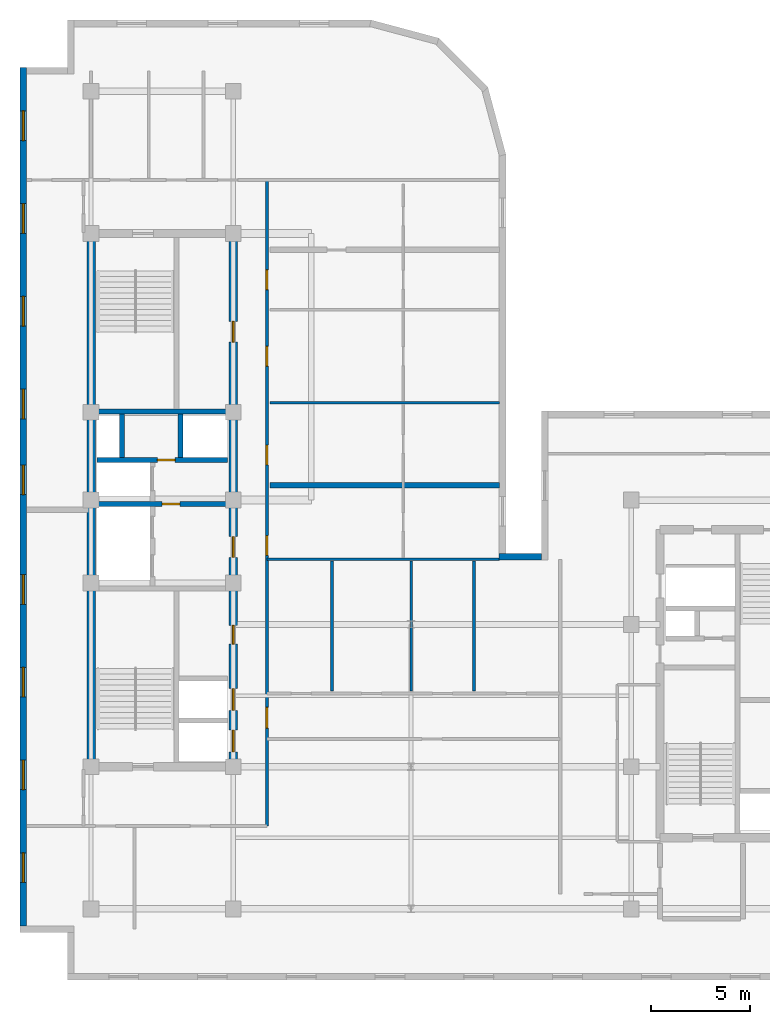
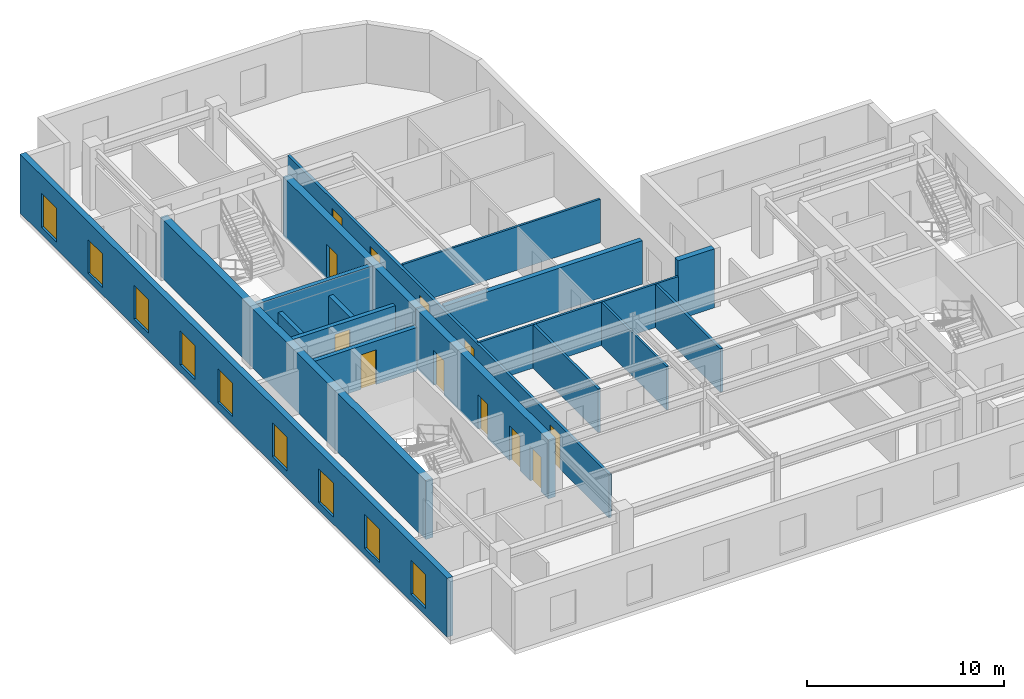
# One storey, part 4 of 10: 17 walls, 12 doors, 9 windows, 21 openings.
"""IFC4 building model written with IfcOpenShell, lengths in metres."""

from ifc_helpers import new_model, entity, si_unit, converted_unit, direction, frame, origin_with_axes, origin_2d_with_axis, place, context, subcontext, project, spatial, polyline, rectangle, outline, extrude, material, layer, layer_set, type_object, element, fill, save


model = new_model("IFC4")

# Units and contexts
model_context = context("Model", 3, precision=1e-05, world=origin_with_axes(), true_north=direction((0.0, 1.0)))
body_context = subcontext(model_context, "Body", "Model", "MODEL_VIEW")
ifc_project = project(units=[si_unit("LENGTHUNIT", "METRE"), si_unit("AREAUNIT", "SQUARE_METRE"), si_unit("VOLUMEUNIT", "CUBIC_METRE"), converted_unit("PLANEANGLEUNIT", "DEGREE", entity("IfcPlaneAngleMeasure", 0.017453292519943295), si_unit("PLANEANGLEUNIT", "RADIAN"), dimensions=[0, 0, 0, 0, 0, 0, 0]), si_unit("MASSUNIT", "GRAM", prefix="KILO"), si_unit("THERMODYNAMICTEMPERATUREUNIT", "KELVIN")], contexts=[model_context])

# Site, building, storey
site_placement = place(None, origin_with_axes())
site = spatial("IfcSite", under=ifc_project, at=site_placement, CompositionType="ELEMENT")
building_placement = place(site_placement, origin_with_axes())
building = spatial("IfcBuilding", under=site, at=building_placement, Name="Varnlund Millrace Tower", CompositionType="ELEMENT")
storey_placement = place(building_placement, frame((0.0, 0.0, 264.6), z_axis=(0.0, 0.0, 1.0), x_axis=(1.0, 0.0, 0.0)))
storey = spatial("IfcBuildingStorey", under=building, at=storey_placement, Name="L65", CompositionType="ELEMENT", Elevation=264.6)

# Wall
ifc_material_1 = material(Name="Concrete C60/75", Category="concrete")
ifc_layer_1 = layer(ifc_material_1, 0.42, Name="Concrete C60/75")
ifc_layer_set_1 = layer_set([ifc_layer_1], Name="Concrete C60/75")
wall_type_1 = type_object("IfcWallType", Name="Type-CoreWall-Shear-420-C60", PredefinedType="SHEAR", material=ifc_layer_set_1)
wall_1_placement = place(storey_placement, frame((11.4, 10.8, 0.0), z_axis=(0.0, 0.0, 1.0), x_axis=(0.0, 1.0, 0.0)))
element("IfcWall", 1, at=wall_1_placement, inside=storey, type_object=wall_type_1, Name="Type-CoreWall-Shear-420-C60", PredefinedType="SHEAR", context=body_context, shape_type="SweptSolid", body=[
    extrude(outline(polyline([(0.0, -0.21), (27.0, -0.21), (27.0, 0.21), (0.0, 0.21), (0.0, -0.21)])), origin_with_axes(), (0.0, 0.0, 1.0), 3.66),
])

# Wall, openings, doors
wall_2_placement = place(storey_placement, frame((18.6, 10.8, 0.0), z_axis=(0.0, 0.0, 1.0), x_axis=(0.0, 1.0, 0.0)))
wall_2 = element("IfcWall", 2, at=wall_2_placement, inside=storey, type_object=wall_type_1, Name="Type-CoreWall-Shear-420-C60", PredefinedType="SHEAR", context=body_context, shape_type="SweptSolid", body=[
    extrude(outline(polyline([(0.0, -0.21), (13.5, -0.21), (13.5, 0.21), (0.0, 0.21), (0.0, -0.21)])), origin_with_axes(), (0.0, 0.0, 1.0), 3.66),
])
opening_1_placement = place(wall_2_placement, frame((1.3, 0.0, 0.0), z_axis=(0.0, 0.0, 1.0), x_axis=(1.0, 0.0, 0.0)))
opening_1 = element("IfcOpeningElement", 3, at=opening_1_placement, cuts=wall_2, Name="Opening L65:LD-ELV-H1", PredefinedType="OPENING", context=body_context, shape_type="SweptSolid", body=[
    extrude(rectangle(XDim=1.1, YDim=0.44, at=origin_2d_with_axis()), origin_with_axes(), (0.0, 0.0, 1.0), 2.15),
])
opening_2_placement = place(wall_2_placement, frame((3.4, 0.0, 0.0), z_axis=(0.0, 0.0, 1.0), x_axis=(1.0, 0.0, 0.0)))
opening_2 = element("IfcOpeningElement", 4, at=opening_2_placement, cuts=wall_2, Name="Opening L65:LD-ELV-H2", PredefinedType="OPENING", context=body_context, shape_type="SweptSolid", body=[
    extrude(rectangle(XDim=1.1, YDim=0.44, at=origin_2d_with_axis()), origin_with_axes(), (0.0, 0.0, 1.0), 2.15),
])
opening_3_placement = place(wall_2_placement, frame((11.125, 0.0, 0.0), z_axis=(0.0, 0.0, 1.0), x_axis=(1.0, 0.0, 0.0)))
opening_3 = element("IfcOpeningElement", 5, at=opening_3_placement, cuts=wall_2, Name="Opening L65:DR-FFLOB-A", PredefinedType="OPENING", context=body_context, shape_type="SweptSolid", body=[
    extrude(rectangle(XDim=1.05, YDim=0.44, at=origin_2d_with_axis()), origin_with_axes(), (0.0, 0.0, 1.0), 2.15),
])
opening_4_placement = place(wall_2_placement, frame((6.675, 0.0, 0.0), z_axis=(0.0, 0.0, 1.0), x_axis=(1.0, 0.0, 0.0)))
opening_4 = element("IfcOpeningElement", 6, at=opening_4_placement, cuts=wall_2, Name="Opening L65:DR-RECL-S1AB", PredefinedType="OPENING", context=body_context, shape_type="SweptSolid", body=[
    extrude(rectangle(XDim=0.95, YDim=0.44, at=origin_2d_with_axis()), origin_with_axes(), (0.0, 0.0, 1.0), 2.15),
])
ifc_material_2 = material(Name="Smoke-barrier hollow steel fire door", Category="steel")
door_type_1 = type_object("IfcDoorType", Name="Type-FireDoor-Lobby-1050X2150", OperationType="NOTDEFINED", PredefinedType="DOOR", material=ifc_material_2)
door_1_placement = place(wall_2_placement, frame((11.125, 0.0, 0.0), z_axis=(0.0, 0.0, 1.0), x_axis=(1.0, 0.0, 0.0)))
door_1 = element("IfcDoor", 7, at=door_1_placement, inside=storey, type_object=door_type_1, Name="Type-FireDoor-Lobby-1050X2150", OperationType="SINGLE_SWING_LEFT", OverallHeight=2.15, OverallWidth=1.05, PredefinedType="DOOR", context=body_context, shape_type="SweptSolid", body=[
    extrude(rectangle(XDim=1.05, YDim=0.09, at=origin_2d_with_axis()), origin_with_axes(), (0.0, 0.0, 1.0), 2.15),
])
fill(opening_3, door_1)
ifc_material_3 = material(Name="Fire-rated hollow steel core service door", Category="steel")
door_type_2 = type_object("IfcDoorType", Name="Type-FireDoor-Service-950X2150", OperationType="NOTDEFINED", PredefinedType="DOOR", material=ifc_material_3)
door_2_placement = place(wall_2_placement, frame((6.675, 0.0, 0.0), z_axis=(0.0, 0.0, 1.0), x_axis=(1.0, 0.0, 0.0)))
door_2 = element("IfcDoor", 8, at=door_2_placement, inside=storey, type_object=door_type_2, Name="Type-FireDoor-Service-950X2150", OperationType="SINGLE_SWING_LEFT", OverallHeight=2.15, OverallWidth=0.95, PredefinedType="DOOR", context=body_context, shape_type="SweptSolid", body=[
    extrude(rectangle(XDim=0.95, YDim=0.09, at=origin_2d_with_axis()), origin_with_axes(), (0.0, 0.0, 1.0), 2.15),
])
fill(opening_4, door_2)
ifc_material_4 = material(Name="Stainless and architectural bronze sliding landing door")
door_type_3 = type_object("IfcDoorType", Name="Type-LiftLandingDoor-1100X2150", OperationType="NOTDEFINED", PredefinedType="DOOR", material=ifc_material_4)
door_3_placement = place(wall_2_placement, frame((1.3, 0.0, 0.0), z_axis=(0.0, 0.0, 1.0), x_axis=(1.0, 0.0, 0.0)))
door_3 = element("IfcDoor", 9, at=door_3_placement, inside=storey, type_object=door_type_3, Name="Type-LiftLandingDoor-1100X2150", OperationType="SLIDING_TO_LEFT", OverallHeight=2.15, OverallWidth=1.1, PredefinedType="DOOR", context=body_context, shape_type="SweptSolid", body=[
    extrude(rectangle(XDim=1.1, YDim=0.09, at=origin_2d_with_axis()), origin_with_axes(), (0.0, 0.0, 1.0), 2.15),
])
fill(opening_1, door_3)
door_4_placement = place(wall_2_placement, frame((3.4, 0.0, 0.0), z_axis=(0.0, 0.0, 1.0), x_axis=(1.0, 0.0, 0.0)))
door_4 = element("IfcDoor", 10, at=door_4_placement, inside=storey, type_object=door_type_3, Name="Type-LiftLandingDoor-1100X2150", OperationType="SLIDING_TO_RIGHT", OverallHeight=2.15, OverallWidth=1.1, PredefinedType="DOOR", context=body_context, shape_type="SweptSolid", body=[
    extrude(rectangle(XDim=1.1, YDim=0.09, at=origin_2d_with_axis()), origin_with_axes(), (0.0, 0.0, 1.0), 2.15),
])
fill(opening_2, door_4)

# Wall, opening, door
wall_3_placement = place(storey_placement, frame((18.6, 24.3, 0.0), z_axis=(0.0, 0.0, 1.0), x_axis=(0.0, 1.0, 0.0)))
wall_3 = element("IfcWall", 11, at=wall_3_placement, inside=storey, type_object=wall_type_1, Name="Type-CoreWall-Shear-420-C60", PredefinedType="SHEAR", context=body_context, shape_type="SweptSolid", body=[
    extrude(outline(polyline([(0.0, -0.21), (13.5, -0.21), (13.5, 0.21), (0.0, 0.21), (0.0, -0.21)])), origin_with_axes(), (0.0, 0.0, 1.0), 3.66),
])
opening_5_placement = place(wall_3_placement, frame((8.525, 0.0, 0.0), z_axis=(0.0, 0.0, 1.0), x_axis=(1.0, 0.0, 0.0)))
opening_5 = element("IfcOpeningElement", 12, at=opening_5_placement, cuts=wall_3, Name="Opening L65:DR-RECL-M", PredefinedType="OPENING", context=body_context, shape_type="SweptSolid", body=[
    extrude(rectangle(XDim=1.05, YDim=0.44, at=origin_2d_with_axis()), origin_with_axes(), (0.0, 0.0, 1.0), 2.15),
])
door_5_placement = place(wall_3_placement, frame((8.525, 0.0, 0.0), z_axis=(0.0, 0.0, 1.0), x_axis=(1.0, 0.0, 0.0)))
door_5 = element("IfcDoor", 13, at=door_5_placement, inside=storey, type_object=door_type_1, Name="Type-FireDoor-Lobby-1050X2150", OperationType="SINGLE_SWING_LEFT", OverallHeight=2.15, OverallWidth=1.05, PredefinedType="DOOR", context=body_context, shape_type="SweptSolid", body=[
    extrude(rectangle(XDim=1.05, YDim=0.09, at=origin_2d_with_axis()), origin_with_axes(), (0.0, 0.0, 1.0), 2.15),
])
fill(opening_5, door_5)

# Wall, openings, windows
ifc_material_5 = material(Name="Precast concrete C50/60", Category="concrete")
ifc_layer_2 = layer(ifc_material_5, 0.34, Name="Precast concrete C50/60")
ifc_layer_set_2 = layer_set([ifc_layer_2], Name="Precast concrete C50/60")
wall_type_2 = type_object("IfcWallType", Name="Type-ExtWall-Precast-Upper-340", PredefinedType="SOLIDWALL", material=ifc_layer_set_2)
wall_4_placement = place(storey_placement, frame((7.97, 2.74, 0.0), z_axis=(0.0, 0.0, 1.0), x_axis=(0.0, 1.0, 0.0)))
wall_4 = element("IfcWall", 14, at=wall_4_placement, inside=storey, type_object=wall_type_2, Name="Type-ExtWall-Precast-Upper-340", PredefinedType="SOLIDWALL", context=body_context, shape_type="SweptSolid", body=[
    extrude(outline(polyline([(0.0, -0.17), (43.46, -0.17), (43.46, 0.17), (0.0, 0.17), (0.0, -0.17)])), origin_with_axes(), (0.0, 0.0, 1.0), 3.66),
])
opening_6_placement = place(wall_4_placement, frame((2.948, 0.0, 0.45), z_axis=(0.0, 0.0, 1.0), x_axis=(1.0, 0.0, 0.0)))
opening_6 = element("IfcOpeningElement", 15, at=opening_6_placement, cuts=wall_4, Name="Opening L65:WN-17", PredefinedType="OPENING", context=body_context, shape_type="SweptSolid", body=[
    extrude(rectangle(XDim=1.5, YDim=0.36, at=origin_2d_with_axis()), origin_with_axes(), (0.0, 0.0, 1.0), 2.1),
])
opening_7_placement = place(wall_4_placement, frame((7.643, 0.0, 0.45), z_axis=(0.0, 0.0, 1.0), x_axis=(1.0, 0.0, 0.0)))
opening_7 = element("IfcOpeningElement", 16, at=opening_7_placement, cuts=wall_4, Name="Opening L65:WN-18", PredefinedType="OPENING", context=body_context, shape_type="SweptSolid", body=[
    extrude(rectangle(XDim=1.5, YDim=0.36, at=origin_2d_with_axis()), origin_with_axes(), (0.0, 0.0, 1.0), 2.1),
])
opening_8_placement = place(wall_4_placement, frame((12.339, 0.0, 0.45), z_axis=(0.0, 0.0, 1.0), x_axis=(1.0, 0.0, 0.0)))
opening_8 = element("IfcOpeningElement", 17, at=opening_8_placement, cuts=wall_4, Name="Opening L65:WN-19", PredefinedType="OPENING", context=body_context, shape_type="SweptSolid", body=[
    extrude(rectangle(XDim=1.5, YDim=0.36, at=origin_2d_with_axis()), origin_with_axes(), (0.0, 0.0, 1.0), 2.1),
])
opening_9_placement = place(wall_4_placement, frame((17.034, 0.0, 0.45), z_axis=(0.0, 0.0, 1.0), x_axis=(1.0, 0.0, 0.0)))
opening_9 = element("IfcOpeningElement", 18, at=opening_9_placement, cuts=wall_4, Name="Opening L65:WN-20", PredefinedType="OPENING", context=body_context, shape_type="SweptSolid", body=[
    extrude(rectangle(XDim=1.5, YDim=0.36, at=origin_2d_with_axis()), origin_with_axes(), (0.0, 0.0, 1.0), 2.1),
])
opening_10_placement = place(wall_4_placement, frame((22.58, 0.0, 0.45), z_axis=(0.0, 0.0, 1.0), x_axis=(1.0, 0.0, 0.0)))
opening_10 = element("IfcOpeningElement", 19, at=opening_10_placement, cuts=wall_4, Name="Opening L65:WN-21", PredefinedType="OPENING", context=body_context, shape_type="SweptSolid", body=[
    extrude(rectangle(XDim=1.5, YDim=0.36, at=origin_2d_with_axis()), origin_with_axes(), (0.0, 0.0, 1.0), 2.1),
])
opening_11_placement = place(wall_4_placement, frame((26.426, 0.0, 0.45), z_axis=(0.0, 0.0, 1.0), x_axis=(1.0, 0.0, 0.0)))
opening_11 = element("IfcOpeningElement", 20, at=opening_11_placement, cuts=wall_4, Name="Opening L65:WN-22", PredefinedType="OPENING", context=body_context, shape_type="SweptSolid", body=[
    extrude(rectangle(XDim=1.5, YDim=0.36, at=origin_2d_with_axis()), origin_with_axes(), (0.0, 0.0, 1.0), 2.1),
])
opening_12_placement = place(wall_4_placement, frame((31.121, 0.0, 0.45), z_axis=(0.0, 0.0, 1.0), x_axis=(1.0, 0.0, 0.0)))
opening_12 = element("IfcOpeningElement", 21, at=opening_12_placement, cuts=wall_4, Name="Opening L65:WN-23", PredefinedType="OPENING", context=body_context, shape_type="SweptSolid", body=[
    extrude(rectangle(XDim=1.5, YDim=0.36, at=origin_2d_with_axis()), origin_with_axes(), (0.0, 0.0, 1.0), 2.1),
])
opening_13_placement = place(wall_4_placement, frame((35.817, 0.0, 0.45), z_axis=(0.0, 0.0, 1.0), x_axis=(1.0, 0.0, 0.0)))
opening_13 = element("IfcOpeningElement", 22, at=opening_13_placement, cuts=wall_4, Name="Opening L65:WN-24", PredefinedType="OPENING", context=body_context, shape_type="SweptSolid", body=[
    extrude(rectangle(XDim=1.5, YDim=0.36, at=origin_2d_with_axis()), origin_with_axes(), (0.0, 0.0, 1.0), 2.1),
])
opening_14_placement = place(wall_4_placement, frame((40.512, 0.0, 0.45), z_axis=(0.0, 0.0, 1.0), x_axis=(1.0, 0.0, 0.0)))
opening_14 = element("IfcOpeningElement", 23, at=opening_14_placement, cuts=wall_4, Name="Opening L65:WN-25", PredefinedType="OPENING", context=body_context, shape_type="SweptSolid", body=[
    extrude(rectangle(XDim=1.5, YDim=0.36, at=origin_2d_with_axis()), origin_with_axes(), (0.0, 0.0, 1.0), 2.1),
])
ifc_material_6 = material(Name="Argon low-e triple glazing in thermally broken bronze frame", Category="glass")
window_type = type_object("IfcWindowType", Name="Type-Window-Punched-1500X2100", PartitioningType="SINGLE_PANEL", PredefinedType="WINDOW", material=ifc_material_6)
window_1_placement = place(wall_4_placement, frame((2.948, 0.0, 0.45), z_axis=(0.0, 0.0, 1.0), x_axis=(1.0, 0.0, 0.0)))
window_1 = element("IfcWindow", 24, at=window_1_placement, inside=storey, type_object=window_type, Name="Type-Window-Punched-1500X2100", OverallHeight=2.1, OverallWidth=1.5, PredefinedType="WINDOW", context=body_context, shape_type="SweptSolid", body=[
    extrude(rectangle(XDim=1.5, YDim=0.09, at=origin_2d_with_axis()), origin_with_axes(), (0.0, 0.0, 1.0), 2.1),
])
fill(opening_6, window_1)
window_2_placement = place(wall_4_placement, frame((7.643, 0.0, 0.45), z_axis=(0.0, 0.0, 1.0), x_axis=(1.0, 0.0, 0.0)))
window_2 = element("IfcWindow", 25, at=window_2_placement, inside=storey, type_object=window_type, Name="Type-Window-Punched-1500X2100", OverallHeight=2.1, OverallWidth=1.5, PredefinedType="WINDOW", context=body_context, shape_type="SweptSolid", body=[
    extrude(rectangle(XDim=1.5, YDim=0.09, at=origin_2d_with_axis()), origin_with_axes(), (0.0, 0.0, 1.0), 2.1),
])
fill(opening_7, window_2)
window_3_placement = place(wall_4_placement, frame((12.339, 0.0, 0.45), z_axis=(0.0, 0.0, 1.0), x_axis=(1.0, 0.0, 0.0)))
window_3 = element("IfcWindow", 26, at=window_3_placement, inside=storey, type_object=window_type, Name="Type-Window-Punched-1500X2100", OverallHeight=2.1, OverallWidth=1.5, PredefinedType="WINDOW", context=body_context, shape_type="SweptSolid", body=[
    extrude(rectangle(XDim=1.5, YDim=0.09, at=origin_2d_with_axis()), origin_with_axes(), (0.0, 0.0, 1.0), 2.1),
])
fill(opening_8, window_3)
window_4_placement = place(wall_4_placement, frame((17.034, 0.0, 0.45), z_axis=(0.0, 0.0, 1.0), x_axis=(1.0, 0.0, 0.0)))
window_4 = element("IfcWindow", 27, at=window_4_placement, inside=storey, type_object=window_type, Name="Type-Window-Punched-1500X2100", OverallHeight=2.1, OverallWidth=1.5, PredefinedType="WINDOW", context=body_context, shape_type="SweptSolid", body=[
    extrude(rectangle(XDim=1.5, YDim=0.09, at=origin_2d_with_axis()), origin_with_axes(), (0.0, 0.0, 1.0), 2.1),
])
fill(opening_9, window_4)
window_5_placement = place(wall_4_placement, frame((22.58, 0.0, 0.45), z_axis=(0.0, 0.0, 1.0), x_axis=(1.0, 0.0, 0.0)))
window_5 = element("IfcWindow", 28, at=window_5_placement, inside=storey, type_object=window_type, Name="Type-Window-Punched-1500X2100", OverallHeight=2.1, OverallWidth=1.5, PredefinedType="WINDOW", context=body_context, shape_type="SweptSolid", body=[
    extrude(rectangle(XDim=1.5, YDim=0.09, at=origin_2d_with_axis()), origin_with_axes(), (0.0, 0.0, 1.0), 2.1),
])
fill(opening_10, window_5)
window_6_placement = place(wall_4_placement, frame((26.426, 0.0, 0.45), z_axis=(0.0, 0.0, 1.0), x_axis=(1.0, 0.0, 0.0)))
window_6 = element("IfcWindow", 29, at=window_6_placement, inside=storey, type_object=window_type, Name="Type-Window-Punched-1500X2100", OverallHeight=2.1, OverallWidth=1.5, PredefinedType="WINDOW", context=body_context, shape_type="SweptSolid", body=[
    extrude(rectangle(XDim=1.5, YDim=0.09, at=origin_2d_with_axis()), origin_with_axes(), (0.0, 0.0, 1.0), 2.1),
])
fill(opening_11, window_6)
window_7_placement = place(wall_4_placement, frame((31.121, 0.0, 0.45), z_axis=(0.0, 0.0, 1.0), x_axis=(1.0, 0.0, 0.0)))
window_7 = element("IfcWindow", 30, at=window_7_placement, inside=storey, type_object=window_type, Name="Type-Window-Punched-1500X2100", OverallHeight=2.1, OverallWidth=1.5, PredefinedType="WINDOW", context=body_context, shape_type="SweptSolid", body=[
    extrude(rectangle(XDim=1.5, YDim=0.09, at=origin_2d_with_axis()), origin_with_axes(), (0.0, 0.0, 1.0), 2.1),
])
fill(opening_12, window_7)
window_8_placement = place(wall_4_placement, frame((35.817, 0.0, 0.45), z_axis=(0.0, 0.0, 1.0), x_axis=(1.0, 0.0, 0.0)))
window_8 = element("IfcWindow", 31, at=window_8_placement, inside=storey, type_object=window_type, Name="Type-Window-Punched-1500X2100", OverallHeight=2.1, OverallWidth=1.5, PredefinedType="WINDOW", context=body_context, shape_type="SweptSolid", body=[
    extrude(rectangle(XDim=1.5, YDim=0.09, at=origin_2d_with_axis()), origin_with_axes(), (0.0, 0.0, 1.0), 2.1),
])
fill(opening_13, window_8)
window_9_placement = place(wall_4_placement, frame((40.512, 0.0, 0.45), z_axis=(0.0, 0.0, 1.0), x_axis=(1.0, 0.0, 0.0)))
window_9 = element("IfcWindow", 32, at=window_9_placement, inside=storey, type_object=window_type, Name="Type-Window-Punched-1500X2100", OverallHeight=2.1, OverallWidth=1.5, PredefinedType="WINDOW", context=body_context, shape_type="SweptSolid", body=[
    extrude(rectangle(XDim=1.5, YDim=0.09, at=origin_2d_with_axis()), origin_with_axes(), (0.0, 0.0, 1.0), 2.1),
])
fill(opening_14, window_9)

# Walls
wall_5_placement = place(storey_placement, frame((32.06, 21.43, 0.0), z_axis=(0.0, 0.0, 1.0), x_axis=(1.0, 0.0, 0.0)))
element("IfcWall", 33, at=wall_5_placement, inside=storey, type_object=wall_type_2, Name="Type-ExtWall-Precast-Upper-340", PredefinedType="SOLIDWALL", context=body_context, shape_type="SweptSolid", body=[
    extrude(outline(polyline([(0.0, -0.17), (2.14, -0.17), (2.14, 0.17), (0.0, 0.17), (0.0, -0.17)])), origin_with_axes(), (0.0, 0.0, 1.0), 3.66),
])
ifc_material_7 = material(Name="Double-stud STC-60 conference acoustic partition", Category="gypsum")
ifc_layer_3 = layer(ifc_material_7, 0.28, Name="Double-stud STC-60 conference acoustic partition")
ifc_layer_set_3 = layer_set([ifc_layer_3], Name="Double-stud STC-60 conference acoustic partition")
wall_type_3 = type_object("IfcWallType", Name="Type-Partition-Acoustic-280", PredefinedType="PARTITIONING", material=ifc_layer_set_3)
wall_6_placement = place(storey_placement, frame((20.45, 25.05, 0.0), z_axis=(0.0, 0.0, 1.0), x_axis=(1.0, 0.0, 0.0)))
element("IfcWall", 34, at=wall_6_placement, inside=storey, type_object=wall_type_3, Name="Type-Partition-Acoustic-280", PredefinedType="PARTITIONING", context=body_context, shape_type="SweptSolid", body=[
    extrude(outline(polyline([(0.0, -0.14), (11.615, -0.14), (11.615, 0.14), (0.0, 0.14), (0.0, -0.14)])), origin_with_axes(), (0.0, 0.0, 1.0), 2.7),
])

# Wall, openings, doors
ifc_material_8 = material(Name="Fire-rated gypsum board on cold-formed steel framing", Category="steel")
ifc_layer_4 = layer(ifc_material_8, 0.16, Name="Fire-rated gypsum board on cold-formed steel framing")
ifc_layer_set_4 = layer_set([ifc_layer_4], Name="Fire-rated gypsum board on cold-formed steel framing")
wall_type_4 = type_object("IfcWallType", Name="Type-Partition-Corridor-160", PredefinedType="PARTITIONING", material=ifc_layer_set_4)
wall_7_placement = place(storey_placement, frame((20.3, 7.8, 0.0), z_axis=(0.0, 0.0, 1.0), x_axis=(0.0, 1.0, 0.0)))
wall_7 = element("IfcWall", 35, at=wall_7_placement, inside=storey, type_object=wall_type_4, Name="Type-Partition-Corridor-160", PredefinedType="PARTITIONING", context=body_context, shape_type="SweptSolid", body=[
    extrude(outline(polyline([(0.0, -0.08), (32.7, -0.08), (32.7, 0.08), (0.0, 0.08), (0.0, -0.08)])), origin_with_axes(), (0.0, 0.0, 1.0), 2.7),
])
opening_15_placement = place(wall_7_placement, frame((14.2, 0.0, 0.0), z_axis=(0.0, 0.0, 1.0), x_axis=(1.0, 0.0, 0.0)))
opening_15 = element("IfcOpeningElement", 36, at=opening_15_placement, cuts=wall_7, Name="Opening L65:DR-FLR-01", PredefinedType="OPENING", context=body_context, shape_type="SweptSolid", body=[
    extrude(rectangle(XDim=1.0, YDim=0.18, at=origin_2d_with_axis()), origin_with_axes(), (0.0, 0.0, 1.0), 2.15),
])
opening_16_placement = place(wall_7_placement, frame((18.779, 0.0, 0.0), z_axis=(0.0, 0.0, 1.0), x_axis=(1.0, 0.0, 0.0)))
opening_16 = element("IfcOpeningElement", 37, at=opening_16_placement, cuts=wall_7, Name="Opening L65:DR-FLR-02", PredefinedType="OPENING", context=body_context, shape_type="SweptSolid", body=[
    extrude(rectangle(XDim=1.0, YDim=0.18, at=origin_2d_with_axis()), origin_with_axes(), (0.0, 0.0, 1.0), 2.15),
])
opening_17_placement = place(wall_7_placement, frame((23.7835, 0.0, 0.0), z_axis=(0.0, 0.0, 1.0), x_axis=(1.0, 0.0, 0.0)))
opening_17 = element("IfcOpeningElement", 38, at=opening_17_placement, cuts=wall_7, Name="Opening L65:DR-FLR-03", PredefinedType="OPENING", context=body_context, shape_type="SweptSolid", body=[
    extrude(rectangle(XDim=1.0, YDim=0.18, at=origin_2d_with_axis()), origin_with_axes(), (0.0, 0.0, 1.0), 2.15),
])
opening_18_placement = place(wall_7_placement, frame((27.6515, 0.0, 0.0), z_axis=(0.0, 0.0, 1.0), x_axis=(1.0, 0.0, 0.0)))
opening_18 = element("IfcOpeningElement", 39, at=opening_18_placement, cuts=wall_7, Name="Opening L65:DR-FLR-04", PredefinedType="OPENING", context=body_context, shape_type="SweptSolid", body=[
    extrude(rectangle(XDim=1.0, YDim=0.18, at=origin_2d_with_axis()), origin_with_axes(), (0.0, 0.0, 1.0), 2.15),
])
opening_19_placement = place(wall_7_placement, frame((5.475, 0.0, 0.0), z_axis=(0.0, 0.0, 1.0), x_axis=(1.0, 0.0, 0.0)))
opening_19 = element("IfcOpeningElement", 40, at=opening_19_placement, cuts=wall_7, Name="Opening L65:DR-KN-W", PredefinedType="OPENING", context=body_context, shape_type="SweptSolid", body=[
    extrude(rectangle(XDim=1.05, YDim=0.18, at=origin_2d_with_axis()), origin_with_axes(), (0.0, 0.0, 1.0), 2.15),
])
door_6_placement = place(wall_7_placement, frame((5.475, 0.0, 0.0), z_axis=(0.0, 0.0, 1.0), x_axis=(1.0, 0.0, 0.0)))
door_6 = element("IfcDoor", 41, at=door_6_placement, inside=storey, type_object=door_type_1, Name="Type-FireDoor-Lobby-1050X2150", OperationType="SINGLE_SWING_LEFT", OverallHeight=2.15, OverallWidth=1.05, PredefinedType="DOOR", context=body_context, shape_type="SweptSolid", body=[
    extrude(rectangle(XDim=1.05, YDim=0.09, at=origin_2d_with_axis()), origin_with_axes(), (0.0, 0.0, 1.0), 2.15),
])
fill(opening_19, door_6)
ifc_material_9 = material(Name="Solid-core white oak and bronze frame door")
door_type_4 = type_object("IfcDoorType", Name="Type-IntDoor-Office-1000X2150", OperationType="NOTDEFINED", PredefinedType="DOOR", material=ifc_material_9)
door_7_placement = place(wall_7_placement, frame((14.2, 0.0, 0.0), z_axis=(0.0, 0.0, 1.0), x_axis=(1.0, 0.0, 0.0)))
door_7 = element("IfcDoor", 42, at=door_7_placement, inside=storey, type_object=door_type_4, Name="Type-IntDoor-Office-1000X2150", OperationType="SINGLE_SWING_LEFT", OverallHeight=2.15, OverallWidth=1.0, PredefinedType="DOOR", context=body_context, shape_type="SweptSolid", body=[
    extrude(rectangle(XDim=1.0, YDim=0.09, at=origin_2d_with_axis()), origin_with_axes(), (0.0, 0.0, 1.0), 2.15),
])
fill(opening_15, door_7)
door_8_placement = place(wall_7_placement, frame((18.779, 0.0, 0.0), z_axis=(0.0, 0.0, 1.0), x_axis=(1.0, 0.0, 0.0)))
door_8 = element("IfcDoor", 43, at=door_8_placement, inside=storey, type_object=door_type_4, Name="Type-IntDoor-Office-1000X2150", OperationType="SINGLE_SWING_RIGHT", OverallHeight=2.15, OverallWidth=1.0, PredefinedType="DOOR", context=body_context, shape_type="SweptSolid", body=[
    extrude(rectangle(XDim=1.0, YDim=0.09, at=origin_2d_with_axis()), origin_with_axes(), (0.0, 0.0, 1.0), 2.15),
])
fill(opening_16, door_8)
door_9_placement = place(wall_7_placement, frame((23.7835, 0.0, 0.0), z_axis=(0.0, 0.0, 1.0), x_axis=(1.0, 0.0, 0.0)))
door_9 = element("IfcDoor", 44, at=door_9_placement, inside=storey, type_object=door_type_4, Name="Type-IntDoor-Office-1000X2150", OperationType="SINGLE_SWING_LEFT", OverallHeight=2.15, OverallWidth=1.0, PredefinedType="DOOR", context=body_context, shape_type="SweptSolid", body=[
    extrude(rectangle(XDim=1.0, YDim=0.09, at=origin_2d_with_axis()), origin_with_axes(), (0.0, 0.0, 1.0), 2.15),
])
fill(opening_17, door_9)
door_10_placement = place(wall_7_placement, frame((27.6515, 0.0, 0.0), z_axis=(0.0, 0.0, 1.0), x_axis=(1.0, 0.0, 0.0)))
door_10 = element("IfcDoor", 45, at=door_10_placement, inside=storey, type_object=door_type_4, Name="Type-IntDoor-Office-1000X2150", OperationType="SINGLE_SWING_RIGHT", OverallHeight=2.15, OverallWidth=1.0, PredefinedType="DOOR", context=body_context, shape_type="SweptSolid", body=[
    extrude(rectangle(XDim=1.0, YDim=0.09, at=origin_2d_with_axis()), origin_with_axes(), (0.0, 0.0, 1.0), 2.15),
])
fill(opening_18, door_10)

# Walls
ifc_material_10 = material(Name="Acoustic STC-50 gypsum board partition", Category="gypsum")
ifc_layer_5 = layer(ifc_material_10, 0.15, Name="Acoustic STC-50 gypsum board partition")
ifc_layer_set_5 = layer_set([ifc_layer_5], Name="Acoustic STC-50 gypsum board partition")
wall_type_5 = type_object("IfcWallType", Name="Type-Partition-Demising-150", PredefinedType="PARTITIONING", material=ifc_layer_set_5)
for number, where, z_axis, x_axis, name in (
    (46, (23.598, 14.62, 0.0), (0.0, 0.0, 1.0), (0.0, 1.0, 0.0), "Type-Partition-Demising-150"),
    (47, (30.778, 14.62, 0.0), (0.0, 0.0, 1.0), (0.0, 1.0, 0.0), "Type-Partition-Demising-150"),
):
    element("IfcWall", number, at=place(storey_placement, frame(where, z_axis=z_axis, x_axis=x_axis)), inside=storey, type_object=wall_type_5, Name=name, PredefinedType="PARTITIONING", context=body_context, shape_type="SweptSolid", body=[
        extrude(outline(polyline([(0.0, -0.075), (6.6, -0.075), (6.6, 0.075), (0.0, 0.075), (0.0, -0.075)])), origin_with_axes(), (0.0, 0.0, 1.0), 2.7),
    ])
ifc_material_11 = material(Name="Gypsum board tenant partition", Category="gypsum")
ifc_layer_6 = layer(ifc_material_11, 0.125, Name="Gypsum board tenant partition")
ifc_layer_set_6 = layer_set([ifc_layer_6], Name="Gypsum board tenant partition")
wall_type_6 = type_object("IfcWallType", Name="Type-Partition-Tenant-125", PredefinedType="PARTITIONING", material=ifc_layer_set_6)
wall_8_placement = place(storey_placement, frame((20.45, 29.228, 0.0), z_axis=(0.0, 0.0, 1.0), x_axis=(1.0, 0.0, 0.0)))
element("IfcWall", 48, at=wall_8_placement, inside=storey, type_object=wall_type_6, Name="Type-Partition-Tenant-125", PredefinedType="PARTITIONING", context=body_context, shape_type="SweptSolid", body=[
    extrude(outline(polyline([(0.0, -0.0625), (11.615, -0.0625), (11.615, 0.0625), (0.0, 0.0625), (0.0, -0.0625)])), origin_with_axes(), (0.0, 0.0, 1.0), 2.7),
])
wall_9_placement = place(storey_placement, frame((27.6, 14.62, 0.0), z_axis=(0.0, 0.0, 1.0), x_axis=(0.0, 1.0, 0.0)))
element("IfcWall", 49, at=wall_9_placement, inside=storey, type_object=wall_type_6, Name="Type-Partition-Tenant-125", PredefinedType="PARTITIONING", context=body_context, shape_type="SweptSolid", body=[
    extrude(outline(polyline([(0.0, -0.0625), (6.6, -0.0625), (6.6, 0.0625), (0.0, 0.0625), (0.0, -0.0625)])), origin_with_axes(), (0.0, 0.0, 1.0), 2.7),
])
wall_10_placement = place(storey_placement, frame((20.3, 21.3, 0.0), z_axis=(0.0, 0.0, 1.0), x_axis=(1.0, 0.0, 0.0)))
element("IfcWall", 50, at=wall_10_placement, inside=storey, type_object=wall_type_6, Name="Type-Partition-Tenant-125", PredefinedType="PARTITIONING", context=body_context, shape_type="SweptSolid", body=[
    extrude(outline(polyline([(0.0, -0.0625), (11.765, -0.0625), (11.765, 0.0625), (0.0, 0.0625), (0.0, -0.0625)])), origin_with_axes(), (0.0, 0.0, 1.0), 2.7),
])

# Wall, opening, door
ifc_layer_7 = layer(ifc_material_1, 0.25, Name="Concrete C60/75")
ifc_layer_set_7 = layer_set([ifc_layer_7], Name="Concrete C60/75")
wall_type_7 = type_object("IfcWallType", Name="Type-ShaftWall-Fire-250", PredefinedType="SOLIDWALL", material=ifc_layer_set_7)
wall_11_placement = place(storey_placement, frame((11.7, 24.1, 0.0), z_axis=(0.0, 0.0, 1.0), x_axis=(1.0, 0.0, 0.0)))
wall_11 = element("IfcWall", 51, at=wall_11_placement, inside=storey, type_object=wall_type_7, Name="Type-ShaftWall-Fire-250", PredefinedType="SOLIDWALL", context=body_context, shape_type="SweptSolid", body=[
    extrude(outline(polyline([(0.0, -0.125), (6.6, -0.125), (6.6, 0.125), (0.0, 0.125), (0.0, -0.125)])), origin_with_axes(), (0.0, 0.0, 1.0), 2.7),
])
opening_20_placement = place(wall_11_placement, frame((3.75, 0.0, 0.0), z_axis=(0.0, 0.0, 1.0), x_axis=(1.0, 0.0, 0.0)))
opening_20 = element("IfcOpeningElement", 52, at=opening_20_placement, cuts=wall_11, Name="Opening L65:DR-CA-SRV1", PredefinedType="OPENING", context=body_context, shape_type="SweptSolid", body=[
    extrude(rectangle(XDim=0.9, YDim=0.27, at=origin_2d_with_axis()), origin_with_axes(), (0.0, 0.0, 1.0), 2.15),
])
ifc_material_12 = material(Name="Fire-rated hollow steel service closet door", Category="steel")
door_type_5 = type_object("IfcDoorType", Name="Type-FireDoor-Closet-900X2150", OperationType="NOTDEFINED", PredefinedType="DOOR", material=ifc_material_12)
door_11_placement = place(wall_11_placement, frame((3.75, 0.0, 0.0), z_axis=(0.0, 0.0, 1.0), x_axis=(1.0, 0.0, 0.0)))
door_11 = element("IfcDoor", 53, at=door_11_placement, inside=storey, type_object=door_type_5, Name="Type-FireDoor-Closet-900X2150", OperationType="SINGLE_SWING_LEFT", OverallHeight=2.15, OverallWidth=0.9, PredefinedType="DOOR", context=body_context, shape_type="SweptSolid", body=[
    extrude(rectangle(XDim=0.9, YDim=0.09, at=origin_2d_with_axis()), origin_with_axes(), (0.0, 0.0, 1.0), 2.15),
])
fill(opening_20, door_11)

wall_12_placement = place(storey_placement, frame((11.7, 26.325, 0.0), z_axis=(0.0, 0.0, 1.0), x_axis=(1.0, 0.0, 0.0)))
wall_12 = element("IfcWall", 54, at=wall_12_placement, inside=storey, type_object=wall_type_7, Name="Type-ShaftWall-Fire-250", PredefinedType="SOLIDWALL", context=body_context, shape_type="SweptSolid", body=[
    extrude(outline(polyline([(0.0, -0.125), (6.6, -0.125), (6.6, 0.125), (0.0, 0.125), (0.0, -0.125)])), origin_with_axes(), (0.0, 0.0, 1.0), 2.7),
])
opening_21_placement = place(wall_12_placement, frame((3.5, 0.0, 0.0), z_axis=(0.0, 0.0, 1.0), x_axis=(1.0, 0.0, 0.0)))
opening_21 = element("IfcOpeningElement", 55, at=opening_21_placement, cuts=wall_12, Name="Opening L65:DR-CA-ELC", PredefinedType="OPENING", context=body_context, shape_type="SweptSolid", body=[
    extrude(rectangle(XDim=0.9, YDim=0.27, at=origin_2d_with_axis()), origin_with_axes(), (0.0, 0.0, 1.0), 2.15),
])
door_12_placement = place(wall_12_placement, frame((3.5, 0.0, 0.0), z_axis=(0.0, 0.0, 1.0), x_axis=(1.0, 0.0, 0.0)))
door_12 = element("IfcDoor", 56, at=door_12_placement, inside=storey, type_object=door_type_5, Name="Type-FireDoor-Closet-900X2150", OperationType="SINGLE_SWING_LEFT", OverallHeight=2.15, OverallWidth=0.9, PredefinedType="DOOR", context=body_context, shape_type="SweptSolid", body=[
    extrude(rectangle(XDim=0.9, YDim=0.09, at=origin_2d_with_axis()), origin_with_axes(), (0.0, 0.0, 1.0), 2.15),
])
fill(opening_21, door_12)

# Walls
for number, where, z_axis, x_axis, name in (
    (57, (12.96, 26.45, 0.0), (0.0, 0.0, 1.0), (0.0, 1.0, 0.0), "Type-ShaftWall-Fire-250"),
    (58, (15.925, 26.45, 0.0), (0.0, 0.0, 1.0), (0.0, 1.0, 0.0), "Type-ShaftWall-Fire-250"),
):
    element("IfcWall", number, at=place(storey_placement, frame(where, z_axis=z_axis, x_axis=x_axis)), inside=storey, type_object=wall_type_7, Name=name, PredefinedType="SOLIDWALL", context=body_context, shape_type="SweptSolid", body=[
        extrude(outline(polyline([(0.0, -0.125), (2.2, -0.125), (2.2, 0.125), (0.0, 0.125), (0.0, -0.125)])), origin_with_axes(), (0.0, 0.0, 1.0), 2.7),
    ])
wall_type_8 = type_object("IfcWallType", Name="Type-StairWall-Shear-250", PredefinedType="SHEAR", material=ifc_layer_set_7)
wall_13_placement = place(storey_placement, frame((11.61, 28.775, 0.0), z_axis=(0.0, 0.0, 1.0), x_axis=(1.0, 0.0, 0.0)))
element("IfcWall", 59, at=wall_13_placement, inside=storey, type_object=wall_type_8, Name="Type-StairWall-Shear-250", PredefinedType="SHEAR", context=body_context, shape_type="SweptSolid", body=[
    extrude(outline(polyline([(0.0, -0.125), (6.78, -0.125), (6.78, 0.125), (0.0, 0.125), (0.0, -0.125)])), origin_with_axes(), (0.0, 0.0, 1.0), 3.66),
])

save(model, "model.ifc")
